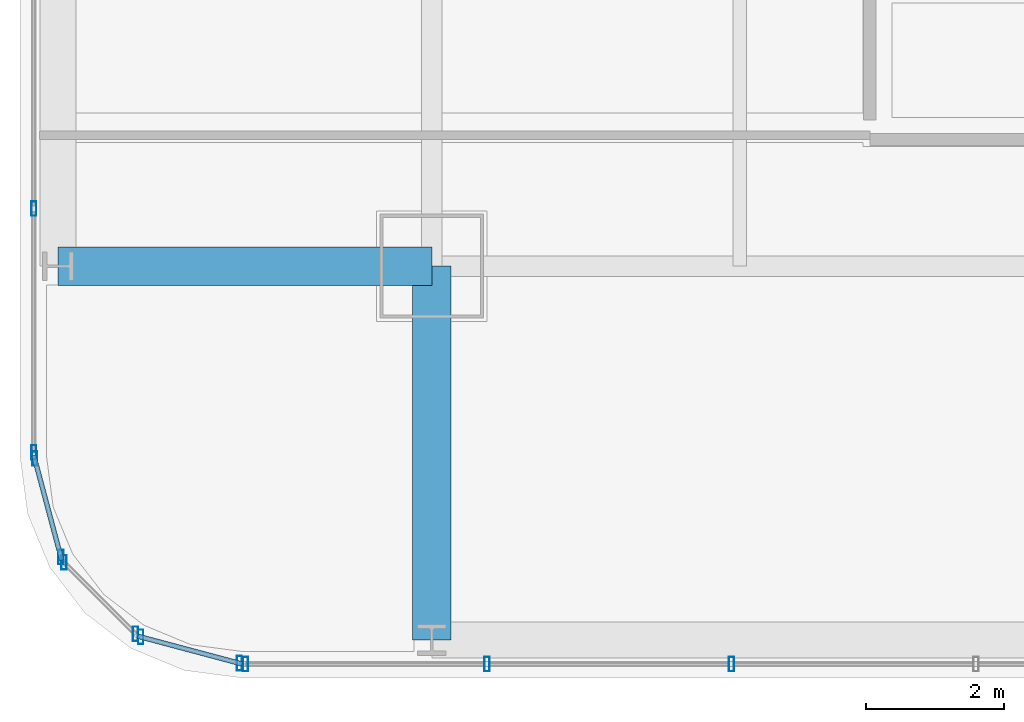
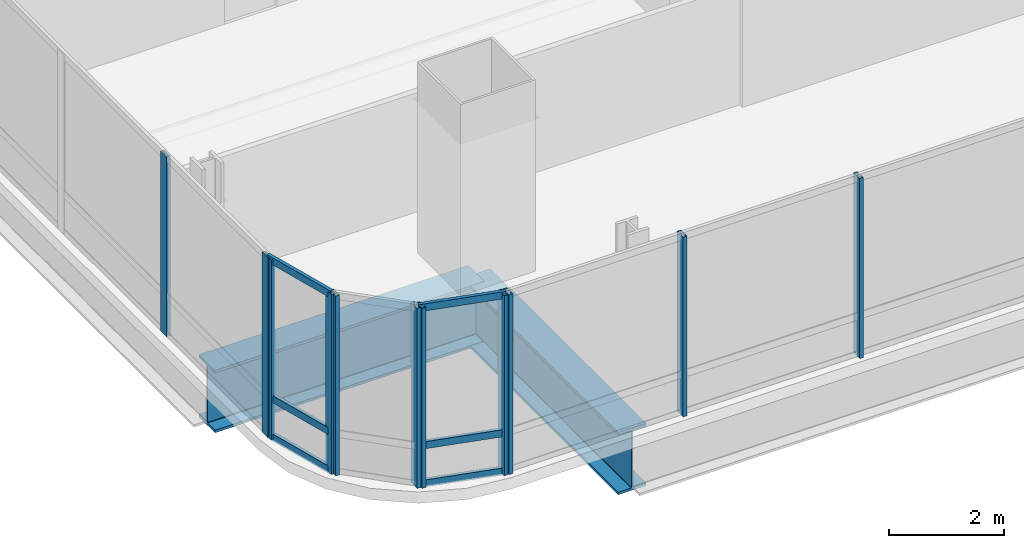
# One storey, part 2 of 35: 17 members, 2 beams, 5 elements without a shape of their own.
"""IFC4 building model written with IfcOpenShell, lengths in metres."""

import ifcopenshell
import ifcopenshell.guid

model = None  # the IFC model being written
_history = None  # IfcOwnerHistory: only IFC2X3 demands one
_inside = {}  # id of a spatial element -> (the spatial element, [elements in it])
_under = {}  # id of a project, library or spatial element -> (it, [spatial elements below it])
_declared = {}  # id of a project -> (the project, [libraries it declares])
_typed = {}  # id of a type object -> (the type object, [elements of that type])
_made_of = {}  # id of a material, layer set ... -> (it, [elements and type objects made of it])


def new_model(schema):
    """Start an empty IFC model of exactly this schema.

    Asked for "IFC4X3", IfcOpenShell would pick the latest addendum, in which some entities
    have other attributes; the version numbers below select the first issue.
    IFC2X3 requires an IfcOwnerHistory on every rooted entity: one is made here for all.
    """
    global model, _history
    if schema == "IFC4X3":
        model = ifcopenshell.file(schema_version=(4, 3, 0, 0))
    else:
        model = ifcopenshell.file(schema=schema)
    _inside.clear()
    _under.clear()
    _declared.clear()
    _typed.clear()
    _made_of.clear()
    _history = None
    if model.schema == "IFC2X3":
        org = make("IfcOrganization", Name="unknown")
        user = make(
            "IfcPersonAndOrganization",
            ThePerson=make("IfcPerson", FamilyName="unknown"),
            TheOrganization=org,
        )
        app = make(
            "IfcApplication",
            ApplicationDeveloper=org,
            Version="unknown",
            ApplicationFullName="unknown",
            ApplicationIdentifier="unknown",
        )
        _history = make(
            "IfcOwnerHistory",
            OwningUser=user,
            OwningApplication=app,
            ChangeAction="ADDED",
            CreationDate=0,
        )
    return model


def make(cls, **values):
    """One entity of the class cls with the attributes given. An attribute that is None is left unset."""
    return model.create_entity(
        cls, **{name: value for name, value in values.items() if value is not None}
    )


def rooted(cls, **values):
    """An entity with a GlobalId (a new one), such as an element, a storey or a relation."""
    return make(cls, GlobalId=ifcopenshell.guid.new(), OwnerHistory=_history, **values)


def si_unit(unit_type, name, prefix=None):
    """IfcSIUnit, for example si_unit("LENGTHUNIT", "METRE", prefix="MILLI")."""
    return make("IfcSIUnit", UnitType=unit_type, Prefix=prefix, Name=name)


def assignment(units):
    """IfcUnitAssignment: the units of a project."""
    return None if units is None else make("IfcUnitAssignment", Units=units)


def point(xyz):
    """IfcCartesianPoint."""
    return None if xyz is None else make("IfcCartesianPoint", Coordinates=xyz)


def direction(xyz):
    """IfcDirection."""
    return None if xyz is None else make("IfcDirection", DirectionRatios=xyz)


def frame(location, z_axis=None, x_axis=None):
    """IfcAxis2Placement3D, a coordinate frame: its origin and axes. An axis left out is left unset."""
    return make(
        "IfcAxis2Placement3D",
        Location=point(location),
        Axis=direction(z_axis),
        RefDirection=direction(x_axis),
    )


def frame_2d(location, x_axis=None):
    """IfcAxis2Placement2D, a coordinate frame in the plane: its origin and x axis."""
    return make(
        "IfcAxis2Placement2D", Location=point(location), RefDirection=direction(x_axis)
    )


def origin():
    """The frame at (0, 0, 0) with its axes left unset."""
    return frame((0.0, 0.0, 0.0))


def origin_2d():
    """The frame at (0, 0) in the plane with its x axis left unset."""
    return frame_2d((0.0, 0.0))


def place(relative_to, where):
    """IfcLocalPlacement: puts the frame where relative to a parent placement (None: the world)."""
    return make(
        "IfcLocalPlacement", PlacementRelTo=relative_to, RelativePlacement=where
    )


def context(
    kind, dimensions, precision=None, world=None, true_north=None, identifier=None
):
    """IfcGeometricRepresentationContext, for example the 3D "Model" context."""
    return make(
        "IfcGeometricRepresentationContext",
        ContextIdentifier=identifier,
        ContextType=kind,
        CoordinateSpaceDimension=dimensions,
        Precision=precision,
        WorldCoordinateSystem=world,
        TrueNorth=true_north,
    )


def subcontext(parent, identifier, kind, view, scale=None):
    """IfcGeometricRepresentationSubContext, for example "Body" below "Model"."""
    return make(
        "IfcGeometricRepresentationSubContext",
        ContextIdentifier=identifier,
        ContextType=kind,
        ParentContext=parent,
        TargetScale=scale,
        TargetView=view,
    )


def project(units=None, contexts=None):
    """IfcProject with its units and contexts."""
    return rooted(
        "IfcProject",
        Name="project",
        RepresentationContexts=contexts,
        UnitsInContext=assignment(units),
    )


def spatial(cls, under=None, at=None, **own):
    """A site, building, storey or space (cls), placed at a placement, below another one or the project."""
    s = rooted(cls, ObjectPlacement=at, **own)
    if under is not None:
        _under.setdefault(under.id(), (under, []))[1].append(s)
    return s


def profile(cls, at=None, kind="AREA", **sizes):
    """A parametric profile (cls). Its sizes go by their IFC names, for example OverallWidth=200.0."""
    return make(cls, ProfileType=kind, Position=at, **sizes)


def hollow_rectangle(**sizes):
    """IfcRectangleHollowProfileDef."""
    return profile("IfcRectangleHollowProfileDef", **sizes)


def i_section(**sizes):
    """IfcIShapeProfileDef."""
    return profile("IfcIShapeProfileDef", **sizes)


def extrude(swept, where, along, depth):
    """IfcExtrudedAreaSolid: the profile swept, set in the frame where, extruded along a direction by depth."""
    return make(
        "IfcExtrudedAreaSolid",
        SweptArea=swept,
        Position=where,
        ExtrudedDirection=direction(along),
        Depth=depth,
    )


def shape(context_of_items, identifier, shape_type, items):
    """IfcShapeRepresentation: the items that make up one representation, for example the "Body"."""
    return make(
        "IfcShapeRepresentation",
        ContextOfItems=context_of_items,
        RepresentationIdentifier=identifier,
        RepresentationType=shape_type,
        Items=items,
    )


def material(Name=None, Category=None):
    """IfcMaterial."""
    return make("IfcMaterial", Name=Name, Category=Category)


def material_profile(
    of_material, cross_section, Name=None, Category=None, Priority=None
):
    """IfcMaterialProfile: a cross section and its material."""
    return make(
        "IfcMaterialProfile",
        Name=Name,
        Material=of_material,
        Profile=cross_section,
        Priority=Priority,
        Category=Category,
    )


def profile_set(profiles, Name=None, composite=None):
    """IfcMaterialProfileSet."""
    return make(
        "IfcMaterialProfileSet",
        Name=Name,
        MaterialProfiles=profiles,
        CompositeProfile=composite,
    )


def made_of(thing, what):
    """Note that an element or type object is made of a material, layer set ...; save() writes the relation."""
    if what is not None:
        _made_of.setdefault(what.id(), (what, []))[1].append(thing)
    return thing


def type_object(cls, material=None, **own):
    """A type object (cls), such as IfcWallType, which elements share."""
    return made_of(rooted(cls, **own), material)


def element(
    cls,
    number,
    at=None,
    inside=None,
    cuts=None,
    type_object=None,
    material=None,
    context=None,
    identifier="Body",
    shape_type=None,
    held_by="IfcProductDefinitionShape",
    body=None,
    shapes=None,
    **own,
):
    """One element of the class cls, such as IfcWall. Its Tag is "e" and its number.

    at: its placement. inside: the storey or other place that contains it. cuts: it is an
    opening in that element (IfcRelVoidsElement). A single representation is given by context,
    identifier, shape_type and body (its items); several are given by shapes. held_by: the class
    of the entity that holds the representations. save() writes the other relations.
    """
    e = rooted(cls, Tag="e%d" % number, ObjectPlacement=at, **own)
    if body is not None:
        shapes = [shape(context, identifier, shape_type, body)]
    if shapes is not None:
        e.Representation = make(held_by, Representations=shapes)
    if inside is not None:
        _inside.setdefault(inside.id(), (inside, []))[1].append(e)
    if cuts is not None:
        rooted(
            "IfcRelVoidsElement", RelatingBuildingElement=cuts, RelatedOpeningElement=e
        )
    if type_object is not None:
        _typed.setdefault(type_object.id(), (type_object, []))[1].append(e)
    return made_of(e, material)


def aggregate(whole, parts):
    """IfcRelAggregates: a whole, such as a stair, and the parts it consists of."""
    return rooted("IfcRelAggregates", RelatingObject=whole, RelatedObjects=parts)


def save(model, path):
    """Write the relations noted so far, then the file.

    IfcRelAggregates (storeys below a building ...), IfcRelContainedInSpatialStructure (elements
    in a storey), IfcRelDefinesByType, IfcRelAssociatesMaterial and IfcRelDeclares: one each for
    every whole, place, type object, material and project.
    """
    for whole, parts in _under.values():
        aggregate(whole, parts)
    for where, things in _inside.values():
        rooted(
            "IfcRelContainedInSpatialStructure",
            RelatedElements=things,
            RelatingStructure=where,
        )
    for kind, things in _typed.values():
        rooted("IfcRelDefinesByType", RelatedObjects=things, RelatingType=kind)
    for what, things in _made_of.values():
        rooted("IfcRelAssociatesMaterial", RelatedObjects=things, RelatingMaterial=what)
    for by, libraries in _declared.values():
        rooted("IfcRelDeclares", RelatingContext=by, RelatedDefinitions=libraries)
    model.write(path)


model = new_model("IFC4")

# Units and contexts
model_context = context("Model", 3, precision=1e-05, world=origin(), true_north=direction((0.0, 1.0)))
body_context = subcontext(model_context, "Body", "Model", "MODEL_VIEW")
ifc_project = project(units=[si_unit("LENGTHUNIT", "METRE"), si_unit("AREAUNIT", "SQUARE_METRE"), si_unit("VOLUMEUNIT", "CUBIC_METRE"), si_unit("PLANEANGLEUNIT", "RADIAN"), si_unit("MASSUNIT", "GRAM", prefix="KILO")], contexts=[model_context])

# Site, building, storey
site_placement = place(None, origin())
site = spatial("IfcSite", under=ifc_project, at=site_placement, CompositionType="ELEMENT")
building_placement = place(site_placement, origin())
building = spatial("IfcBuilding", under=site, at=building_placement, Name="Punatoya Terracotta Tower", CompositionType="ELEMENT")
storey_placement = place(building_placement, frame((0.0, 0.0, 52.5)))
storey = spatial("IfcBuildingStorey", under=building, at=storey_placement, Name="L11", CompositionType="ELEMENT", Elevation=52.5)

# Beams
ifc_material_1 = material(Name="Steel S460", Category="steel")
ifc_material_profile_1 = material_profile(ifc_material_1, i_section(OverallWidth=0.56005859375, OverallDepth=1.320068359375, WebThickness=0.035888671875, FlangeThickness=0.054931640625, FilletRadius=0.01806640625, at=origin_2d()))
ifc_profile_set_1 = profile_set([ifc_material_profile_1], Name="Steel S460")
beam_type = type_object("IfcBeamType", Name="BM-TG-BLK", PredefinedType="BEAM", material=ifc_profile_set_1)
for number, where, z_axis, x_axis, name in (
    (1, (-24.5, -17.5, -0.89990234375), (1.0, 0.0, 0.0), (0.0, 1.0, 0.0), "BM-L11-CANT-W1"),
    (2, (-19.10009765625, -22.89990234375, -0.89990234375), (0.0, 1.0, 0.0), (-1.0, 0.0, 0.0), "BM-L11-CANT-S1"),
):
    element("IfcBeam", number, at=place(storey_placement, frame(where, z_axis=z_axis, x_axis=x_axis)), inside=storey, type_object=beam_type, Name=name, PredefinedType="BEAM", context=body_context, shape_type="SweptSolid", body=[
        extrude(i_section(OverallWidth=0.56005859375, OverallDepth=1.320068359375, WebThickness=0.035888671875, FlangeThickness=0.054931640625, FilletRadius=0.01806640625, at=origin_2d()), origin(), (0.0, 0.0, 1.0), 5.39990234375),
    ])

# Curtain wall, members
ifc_material_2 = material(Name="Aluminium 6063-T6 + Double Low-E Glass", Category="aluminium")
curtain_wall_type = type_object("IfcCurtainWallType", Name="CW-M1", PredefinedType="NOTDEFINED", material=ifc_material_2)
curtain_wall_1_placement = place(storey_placement, origin())
curtain_wall_1 = element("IfcCurtainWall", 3, at=curtain_wall_1_placement, inside=storey, type_object=curtain_wall_type, Name="L11 Curtain Wall CW-L11-S01-1", PredefinedType="NOTDEFINED")
ifc_material_3 = material(Name="Aluminium 6063-T6", Category="aluminium")
ifc_material_profile_2 = material_profile(ifc_material_3, hollow_rectangle(XDim=0.074951171875, YDim=0.2099609375, WallThickness=0.00439453125, at=origin_2d()))
ifc_profile_set_2 = profile_set([ifc_material_profile_2], Name="Aluminium 6063-T6")
member_type_1 = type_object("IfcMemberType", Name="CW-MUL-M1", PredefinedType="MULLION", material=ifc_profile_set_2)
member_1_placement = place(storey_placement, frame((-21.7919921875, -23.25, 0.0), z_axis=(0.0, 0.0, 1.0), x_axis=(1.0, 0.0, 0.0)))
member_1 = element("IfcMember", 4, at=member_1_placement, type_object=member_type_1, Name="CW-L11-S01-1 Mullion 00", PredefinedType="MULLION", context=body_context, shape_type="SweptSolid", body=[
    extrude(hollow_rectangle(XDim=0.074951171875, YDim=0.2099609375, WallThickness=0.00439453125, at=origin_2d()), origin(), (0.0, 0.0, 1.0), 3.81005859375),
])
member_2_placement = place(storey_placement, frame((-18.302978515625, -23.25, 0.0), z_axis=(0.0, 0.0, 1.0), x_axis=(1.0, 0.0, 0.0)))
member_2 = element("IfcMember", 5, at=member_2_placement, type_object=member_type_1, Name="CW-L11-S01-1 Mullion 01", PredefinedType="MULLION", context=body_context, shape_type="SweptSolid", body=[
    extrude(hollow_rectangle(XDim=0.074951171875, YDim=0.2099609375, WallThickness=0.00439453125, at=origin_2d()), origin(), (0.0, 0.0, 1.0), 3.81005859375),
])
member_3_placement = place(storey_placement, frame((-14.768798828125, -23.25, 0.0), z_axis=(0.0, 0.0, 1.0), x_axis=(1.0, 0.0, 0.0)))
member_3 = element("IfcMember", 6, at=member_3_placement, type_object=member_type_1, Name="CW-L11-S01-1 Mullion 02", PredefinedType="MULLION", context=body_context, shape_type="SweptSolid", body=[
    extrude(hollow_rectangle(XDim=0.074951171875, YDim=0.2099609375, WallThickness=0.00439453125, at=origin_2d()), origin(), (0.0, 0.0, 1.0), 3.81005859375),
])
aggregate(curtain_wall_1, [member_1, member_2, member_3])

curtain_wall_2_placement = place(storey_placement, origin())
curtain_wall_2 = element("IfcCurtainWall", 7, at=curtain_wall_2_placement, inside=storey, type_object=curtain_wall_type, Name="L11 Curtain Wall CW-L11-W13-1", PredefinedType="NOTDEFINED")
member_4_placement = place(storey_placement, frame((-24.85009765625, -16.66943359375, 0.0), z_axis=(0.0, 0.0, 1.0), x_axis=(1.0, 0.0, 0.0)))
member_4 = element("IfcMember", 8, at=member_4_placement, type_object=member_type_1, Name="CW-L11-W13-1 Mullion 09", PredefinedType="MULLION", context=body_context, shape_type="SweptSolid", body=[
    extrude(hollow_rectangle(XDim=0.074951171875, YDim=0.2099609375, WallThickness=0.00439453125, at=origin_2d()), origin(), (0.0, 0.0, 1.0), 3.81005859375),
])
member_5_placement = place(storey_placement, frame((-24.85009765625, -20.19189453125, 0.0), z_axis=(0.0, 0.0, 1.0), x_axis=(1.0, 0.0, 0.0)))
member_5 = element("IfcMember", 9, at=member_5_placement, type_object=member_type_1, Name="CW-L11-W13-1 Mullion 10", PredefinedType="MULLION", context=body_context, shape_type="SweptSolid", body=[
    extrude(hollow_rectangle(XDim=0.074951171875, YDim=0.2099609375, WallThickness=0.00439453125, at=origin_2d()), origin(), (0.0, 0.0, 1.0), 3.81005859375),
])
aggregate(curtain_wall_2, [member_4, member_5])

curtain_wall_3_placement = place(storey_placement, origin())
curtain_wall_3 = element("IfcCurtainWall", 10, at=curtain_wall_3_placement, inside=storey, type_object=curtain_wall_type, Name="L11 Curtain Wall CW-L11-CRN14", PredefinedType="NOTDEFINED")
member_6_placement = place(storey_placement, frame((-24.83837890625, -20.280517578125, 0.0), z_axis=(0.0, 0.0, 1.0), x_axis=(1.0, 0.0, 0.0)))
member_6 = element("IfcMember", 11, at=member_6_placement, type_object=member_type_1, Name="CW-L11-CRN14 Mullion 00", PredefinedType="MULLION", context=body_context, shape_type="SweptSolid", body=[
    extrude(hollow_rectangle(XDim=0.074951171875, YDim=0.2099609375, WallThickness=0.00439453125, at=origin_2d()), origin(), (0.0, 0.0, 1.0), 3.81005859375),
])
member_7_placement = place(storey_placement, frame((-24.458251953125, -21.70556640625, 0.0), z_axis=(0.0, 0.0, 1.0), x_axis=(1.0, 0.0, 0.0)))
member_7 = element("IfcMember", 12, at=member_7_placement, type_object=member_type_1, Name="CW-L11-CRN14 Mullion 01", PredefinedType="MULLION", context=body_context, shape_type="SweptSolid", body=[
    extrude(hollow_rectangle(XDim=0.074951171875, YDim=0.2099609375, WallThickness=0.00439453125, at=origin_2d()), origin(), (0.0, 0.0, 1.0), 3.81005859375),
])

curtain_wall_4_placement = place(storey_placement, origin())
curtain_wall_4 = element("IfcCurtainWall", 13, at=curtain_wall_4_placement, inside=storey, type_object=curtain_wall_type, Name="L11 Curtain Wall CW-L11-CRN15", PredefinedType="NOTDEFINED")
member_8_placement = place(storey_placement, frame((-24.414794921875, -21.781005859375, 0.0), z_axis=(0.0, 0.0, 1.0), x_axis=(1.0, 0.0, 0.0)))
member_8 = element("IfcMember", 14, at=member_8_placement, type_object=member_type_1, Name="CW-L11-CRN15 Mullion 00", PredefinedType="MULLION", context=body_context, shape_type="SweptSolid", body=[
    extrude(hollow_rectangle(XDim=0.074951171875, YDim=0.2099609375, WallThickness=0.00439453125, at=origin_2d()), origin(), (0.0, 0.0, 1.0), 3.81005859375),
])
member_9_placement = place(storey_placement, frame((-23.380859375, -22.814697265625, 0.0), z_axis=(0.0, 0.0, 1.0), x_axis=(1.0, 0.0, 0.0)))
member_9 = element("IfcMember", 15, at=member_9_placement, type_object=member_type_1, Name="CW-L11-CRN15 Mullion 01", PredefinedType="MULLION", context=body_context, shape_type="SweptSolid", body=[
    extrude(hollow_rectangle(XDim=0.074951171875, YDim=0.2099609375, WallThickness=0.00439453125, at=origin_2d()), origin(), (0.0, 0.0, 1.0), 3.81005859375),
])
aggregate(curtain_wall_4, [member_8, member_9])

curtain_wall_5_placement = place(storey_placement, origin())
curtain_wall_5 = element("IfcCurtainWall", 16, at=curtain_wall_5_placement, inside=storey, type_object=curtain_wall_type, Name="L11 Curtain Wall CW-L11-CRN16", PredefinedType="NOTDEFINED")
member_10_placement = place(storey_placement, frame((-23.3056640625, -22.858154296875, 0.0), z_axis=(0.0, 0.0, 1.0), x_axis=(1.0, 0.0, 0.0)))
member_10 = element("IfcMember", 17, at=member_10_placement, type_object=member_type_1, Name="CW-L11-CRN16 Mullion 00", PredefinedType="MULLION", context=body_context, shape_type="SweptSolid", body=[
    extrude(hollow_rectangle(XDim=0.074951171875, YDim=0.2099609375, WallThickness=0.00439453125, at=origin_2d()), origin(), (0.0, 0.0, 1.0), 3.81005859375),
])
member_11_placement = place(storey_placement, frame((-21.88037109375, -23.23828125, 0.0), z_axis=(0.0, 0.0, 1.0), x_axis=(1.0, 0.0, 0.0)))
member_11 = element("IfcMember", 18, at=member_11_placement, type_object=member_type_1, Name="CW-L11-CRN16 Mullion 01", PredefinedType="MULLION", context=body_context, shape_type="SweptSolid", body=[
    extrude(hollow_rectangle(XDim=0.074951171875, YDim=0.2099609375, WallThickness=0.00439453125, at=origin_2d()), origin(), (0.0, 0.0, 1.0), 3.81005859375),
])

# Member
ifc_material_profile_3 = material_profile(ifc_material_3, hollow_rectangle(XDim=0.068115234375, YDim=0.14990234375, WallThickness=0.00390625, at=origin_2d()))
ifc_profile_set_3 = profile_set([ifc_material_profile_3], Name="Aluminium 6063-T6")
member_type_2 = type_object("IfcMemberType", Name="CW-TRN-TYP", PredefinedType="USERDEFINED", material=ifc_profile_set_3)
member_12_placement = place(storey_placement, frame((-24.85009765625, -20.23681640625, 0.0400390625), z_axis=(0.257847112249, -0.966185730957, 0.0), x_axis=(0.966185730957, 0.257847112249, 0.0)))
member_12 = element("IfcMember", 19, at=member_12_placement, type_object=member_type_2, Name="CW-L11-CRN14 Transom 1", ObjectType="TRANSOM", PredefinedType="USERDEFINED", context=body_context, shape_type="SweptSolid", body=[
    extrude(hollow_rectangle(XDim=0.068115234375, YDim=0.14990234375, WallThickness=0.00390625, at=origin_2d()), origin(), (0.0, 0.0, 1.0), 1.565185546875),
])

member_13_placement = place(storey_placement, frame((-24.85009765625, -20.23681640625, 0.85009765625), z_axis=(0.257847112249, -0.966185730957, 0.0), x_axis=(0.966185730957, 0.257847112249, 0.0)))
member_13 = element("IfcMember", 20, at=member_13_placement, type_object=member_type_2, Name="CW-L11-CRN14 Transom 2", ObjectType="TRANSOM", PredefinedType="USERDEFINED", context=body_context, shape_type="SweptSolid", body=[
    extrude(hollow_rectangle(XDim=0.068115234375, YDim=0.14990234375, WallThickness=0.00390625, at=origin_2d()), origin(), (0.0, 0.0, 1.0), 1.565185546875),
])

member_14_placement = place(storey_placement, frame((-24.85009765625, -20.23681640625, 3.77001953125), z_axis=(0.257847112249, -0.966185730957, 0.0), x_axis=(0.966185730957, 0.257847112249, 0.0)))
member_14 = element("IfcMember", 21, at=member_14_placement, type_object=member_type_2, Name="CW-L11-CRN14 Transom 3", ObjectType="TRANSOM", PredefinedType="USERDEFINED", context=body_context, shape_type="SweptSolid", body=[
    extrude(hollow_rectangle(XDim=0.068115234375, YDim=0.14990234375, WallThickness=0.00390625, at=origin_2d()), origin(), (0.0, 0.0, 1.0), 1.565185546875),
])

aggregate(curtain_wall_3, [member_6, member_7, member_12, member_13, member_14])

member_15_placement = place(storey_placement, frame((-23.34912109375, -22.8466796875, 0.0400390625), z_axis=(0.966224582397, -0.257701486942, 0.0), x_axis=(0.257701486942, 0.966224582397, 0.0)))
member_15 = element("IfcMember", 22, at=member_15_placement, type_object=member_type_2, Name="CW-L11-CRN16 Transom 1", ObjectType="TRANSOM", PredefinedType="USERDEFINED", context=body_context, shape_type="SweptSolid", body=[
    extrude(hollow_rectangle(XDim=0.068115234375, YDim=0.14990234375, WallThickness=0.00390625, at=origin_2d()), origin(), (0.0, 0.0, 1.0), 1.565185546875),
])

member_16_placement = place(storey_placement, frame((-23.34912109375, -22.8466796875, 0.85009765625), z_axis=(0.966224582397, -0.257701486942, 0.0), x_axis=(0.257701486942, 0.966224582397, 0.0)))
member_16 = element("IfcMember", 23, at=member_16_placement, type_object=member_type_2, Name="CW-L11-CRN16 Transom 2", ObjectType="TRANSOM", PredefinedType="USERDEFINED", context=body_context, shape_type="SweptSolid", body=[
    extrude(hollow_rectangle(XDim=0.068115234375, YDim=0.14990234375, WallThickness=0.00390625, at=origin_2d()), origin(), (0.0, 0.0, 1.0), 1.565185546875),
])

member_17_placement = place(storey_placement, frame((-23.34912109375, -22.8466796875, 3.77001953125), z_axis=(0.966224582397, -0.257701486942, 0.0), x_axis=(0.257701486942, 0.966224582397, 0.0)))
member_17 = element("IfcMember", 24, at=member_17_placement, type_object=member_type_2, Name="CW-L11-CRN16 Transom 3", ObjectType="TRANSOM", PredefinedType="USERDEFINED", context=body_context, shape_type="SweptSolid", body=[
    extrude(hollow_rectangle(XDim=0.068115234375, YDim=0.14990234375, WallThickness=0.00390625, at=origin_2d()), origin(), (0.0, 0.0, 1.0), 1.565185546875),
])

aggregate(curtain_wall_5, [member_10, member_11, member_15, member_16, member_17])

save(model, "model.ifc")
